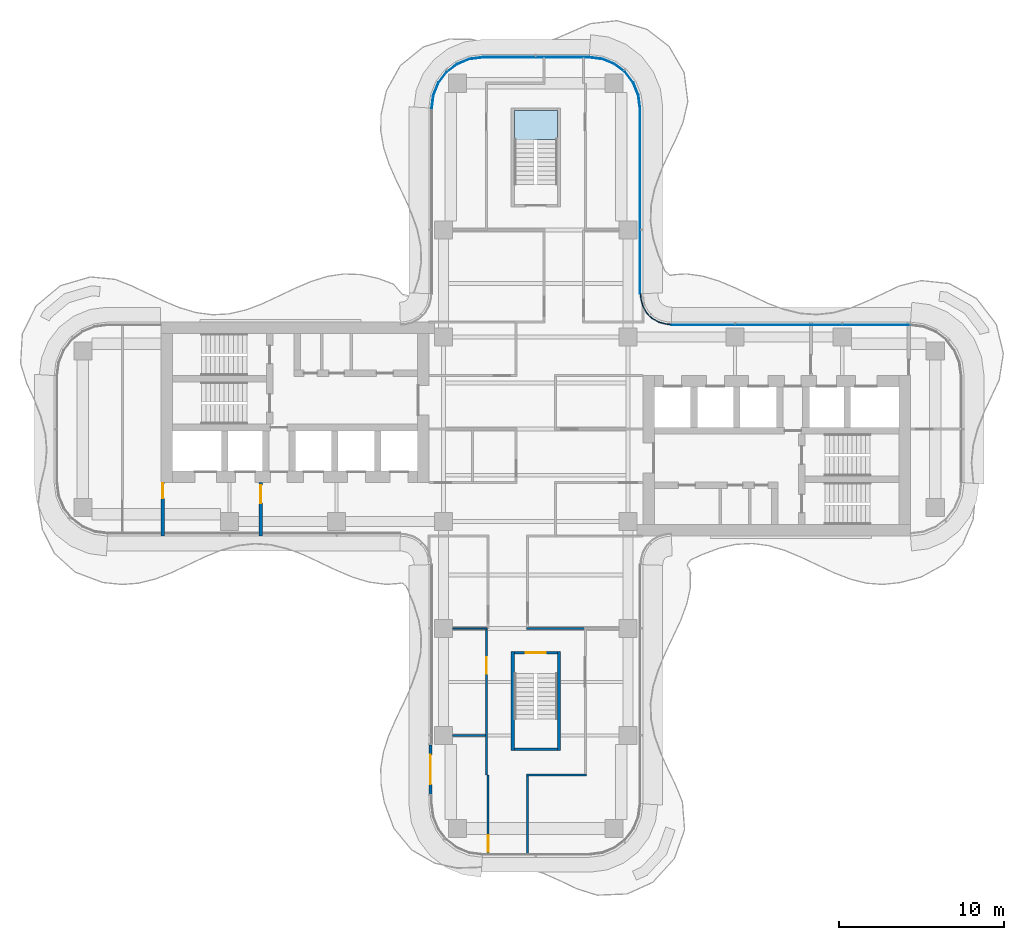
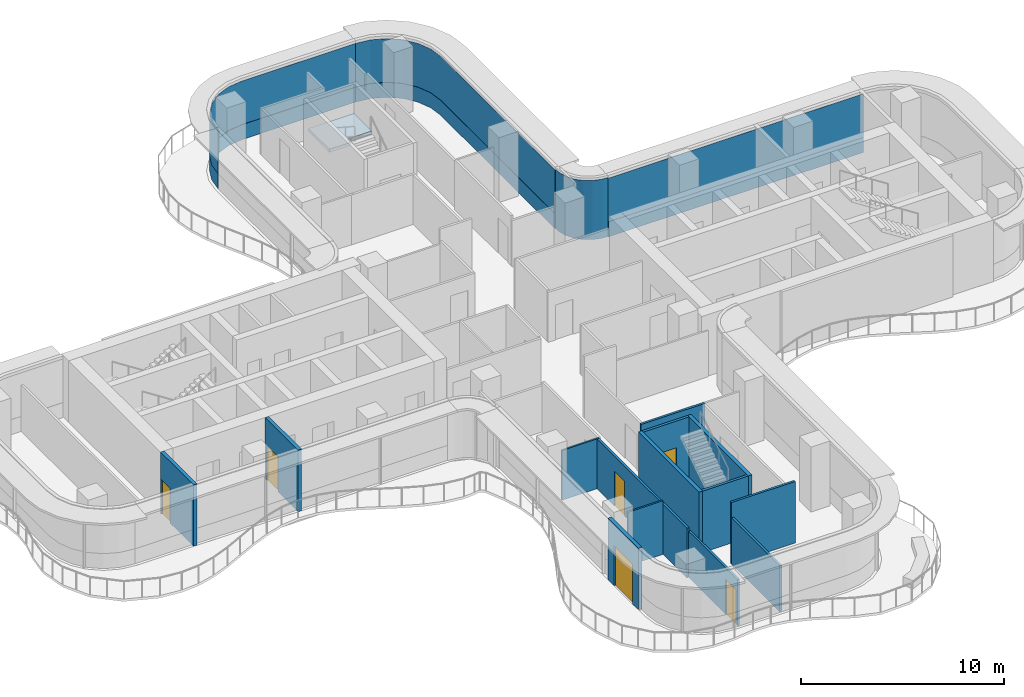
# One storey, part 11 of 17: 14 walls, 7 plates, 6 doors, 1 slab, 6 openings, 5 elements without a shape of their own.
"""IFC4 building model written with IfcOpenShell, lengths in metres."""

from ifc_helpers import new_model, si_unit, direction, frame, frame_2d, origin, place, context, subcontext, project, spatial, polyline, rectangle, outline, extrude, source, transform, mapped, material, layer, layer_set, type_object, element, fill, aggregate, save


model = new_model("IFC4")

# Units and contexts
model_context = context("Model", 3, precision=1e-05, world=origin(), true_north=direction((0.0, 1.0)))
body_context = subcontext(model_context, "Body", "Model", "MODEL_VIEW")
ifc_project = project(units=[si_unit("LENGTHUNIT", "METRE"), si_unit("AREAUNIT", "SQUARE_METRE"), si_unit("VOLUMEUNIT", "CUBIC_METRE"), si_unit("PLANEANGLEUNIT", "RADIAN"), si_unit("MASSUNIT", "GRAM", prefix="KILO")], contexts=[model_context])

# Site, building, storey
site_placement = place(None, origin())
site = spatial("IfcSite", under=ifc_project, at=site_placement, CompositionType="ELEMENT")
building_placement = place(site_placement, origin())
building = spatial("IfcBuilding", under=site, at=building_placement, Name="Trellis Farm Tower", CompositionType="ELEMENT")
storey_placement = place(building_placement, frame((0.0, 0.0, 240.199951171875)))
storey = spatial("IfcBuildingStorey", under=building, at=storey_placement, Name="L53", CompositionType="ELEMENT", Elevation=240.199951171875)

# Stair, slab
ifc_material_1 = material(Name="Concrete C50/60", Category="concrete")
stair_type = type_object("IfcStairType", Name="CORE EXIT STAIR 22 RISERS 177 MM", PredefinedType="HALF_TURN_STAIR", material=ifc_material_1)
placement_1 = place(storey_placement, origin())
stair = element("IfcStair", 1, at=placement_1, inside=storey, type_object=stair_type, Name="Exit stair N", PredefinedType="HALF_TURN_STAIR")
ifc_layer_1 = layer(ifc_material_1, 0.18994140625)
ifc_layer_set_1 = layer_set([ifc_layer_1], Name="CORE STAIR LANDING 190 CONCRETE C50/60")
slab_type = type_object("IfcSlabType", Name="CORE STAIR LANDING 190 CONCRETE C50/60", PredefinedType="LANDING", material=ifc_layer_set_1)
shared_shape_1 = source(origin(), body_context, "Body", "SweptSolid", [
    extrude(outline(polyline([(-0.10009765625, 17.27197265625), (-1.300048828125, 17.27197265625), (-1.300048828125, 17.60009765625), (-1.300048828125, 19.35009765625), (1.300048828125, 19.35009765625), (1.300048828125, 17.60009765625), (1.300048828125, 17.590087890625), (0.10009765625, 17.590087890625), (0.10009765625, 17.60009765625), (-0.10009765625, 17.60009765625), (-0.10009765625, 17.27197265625)])), origin(), (0.0, 0.0, 1.0), 0.18994140625),
])
slab_placement = place(storey_placement, frame((0.0, 0.0, 1.760009765625)))
slab = element("IfcSlab", 2, at=slab_placement, type_object=slab_type, Name="STN landing 1", PredefinedType="LANDING", context=body_context, shape_type="MappedRepresentation", body=[
    mapped(shared_shape_1, transform((0.0, 0.0, 0.0))),
])
aggregate(stair, [slab])

# Curtain wall, plate
ifc_material_2 = material(Name="Aluminium and glass curtain wall", Category="aluminium")
ifc_layer_2 = layer(ifc_material_2, 0.166015625)
ifc_layer_set_2 = layer_set([ifc_layer_2], Name="WINTER GARDEN CURTAIN WALL CW3")
curtain_wall_type_1 = type_object("IfcCurtainWallType", Name="WINTER GARDEN CURTAIN WALL CW3", PredefinedType="NOTDEFINED", material=ifc_layer_set_2)
curtain_wall_1 = element("IfcCurtainWall", 3, at=placement_1, inside=storey, type_object=curtain_wall_type_1, Name="CW3 003", PredefinedType="NOTDEFINED")
ifc_material_3 = material(Name="Clear insulated glass", Category="glass")
ifc_layer_3 = layer(ifc_material_3, 0.0458984375)
ifc_layer_set_3 = layer_set([ifc_layer_3], Name="CW3 GLASS PANEL 46")
plate_type_1 = type_object("IfcPlateType", Name="CW3 GLASS PANEL 46", PredefinedType="CURTAIN_PANEL", material=ifc_layer_set_3)
shared_shape_2 = source(origin(), body_context, "Body", "SweptSolid", [
    extrude(outline(polyline([(8.2275390625, 6.3798828125), (8.0078125, 6.394287109375), (7.89208984375, 6.40966796875), (7.462158203125, 6.52490234375), (7.070556640625, 6.7509765625), (6.7509765625, 7.070556640625), (6.52490234375, 7.462158203125), (6.40966796875, 7.89208984375), (6.394287109375, 8.0078125), (6.3798828125, 8.2275390625), (6.333984375, 8.22607421875), (6.3486328125, 8.003173828125), (6.364501953125, 7.883056640625), (6.48193359375, 7.4443359375), (6.714111328125, 7.04248046875), (7.04248046875, 6.714111328125), (7.4443359375, 6.48193359375), (7.883056640625, 6.364501953125), (8.003173828125, 6.3486328125), (8.22607421875, 6.333984375), (8.2275390625, 6.3798828125)])), origin(), (0.0, 0.0, 1.0), 3.550048828125),
])
plate_1 = element("IfcPlate", 4, at=placement_1, type_object=plate_type_1, Name="PL3 003", PredefinedType="CURTAIN_PANEL", context=body_context, shape_type="MappedRepresentation", body=[
    mapped(shared_shape_2, transform((0.0, 0.0, 0.0))),
])
aggregate(curtain_wall_1, [plate_1])

# Curtain wall, plates
ifc_layer_4 = layer(ifc_material_2, 0.18994140625)
ifc_layer_set_4 = layer_set([ifc_layer_4], Name="RIBBON CURTAIN WALL CW1")
curtain_wall_type_2 = type_object("IfcCurtainWallType", Name="RIBBON CURTAIN WALL CW1", PredefinedType="NOTDEFINED", material=ifc_layer_set_4)
curtain_wall_2 = element("IfcCurtainWall", 5, at=placement_1, inside=storey, type_object=curtain_wall_type_2, Name="CW1 009", PredefinedType="NOTDEFINED")
ifc_layer_5 = layer(ifc_material_3, 0.0400390625)
ifc_layer_set_5 = layer_set([ifc_layer_5], Name="CW1 GLASS PANEL 40")
plate_type_2 = type_object("IfcPlateType", Name="CW1 GLASS PANEL 40", PredefinedType="CURTAIN_PANEL", material=ifc_layer_set_5)
shared_shape_3 = source(origin(), body_context, "Body", "SweptSolid", [
    extrude(outline(polyline([(6.35009765625, 8.2265625), (6.35009765625, 19.490234375), (6.2431640625, 20.302001953125), (5.93359375, 21.04931640625), (5.441162109375, 21.691162109375), (4.79931640625, 22.18359375), (4.052001953125, 22.4931640625), (3.240234375, 22.60009765625), (3.237548828125, 22.56005859375), (4.04150390625, 22.4541015625), (4.779296875, 22.148681640625), (5.41259765625, 21.66259765625), (5.898681640625, 21.029296875), (6.2041015625, 20.29150390625), (6.31005859375, 19.487548828125), (6.31005859375, 8.22509765625), (6.35009765625, 8.2265625)])), origin(), (0.0, 0.0, 1.0), 2.619873046875),
])
placement_2 = place(storey_placement, frame((0.0, 0.0, 0.900146484375)))
plate_2 = element("IfcPlate", 6, at=placement_2, type_object=plate_type_2, Name="PL1 009", PredefinedType="CURTAIN_PANEL", context=body_context, shape_type="MappedRepresentation", body=[
    mapped(shared_shape_3, transform((0.0, 0.0, 0.0))),
])
ifc_material_4 = material(Name="Sandstone faced insulated panel", Category="masonry")
ifc_layer_6 = layer(ifc_material_4, 0.050048828125)
ifc_layer_set_6 = layer_set([ifc_layer_6], Name="CW1 STONE SPANDREL PANEL 50")
plate_type_3 = type_object("IfcPlateType", Name="CW1 STONE SPANDREL PANEL 50", PredefinedType="CURTAIN_PANEL", material=ifc_layer_set_6)
shared_shape_4 = source(origin(), body_context, "Body", "SweptSolid", [
    extrude(outline(polyline([(6.35009765625, 8.2265625), (6.35009765625, 19.490234375), (6.2431640625, 20.302001953125), (5.93359375, 21.04931640625), (5.441162109375, 21.691162109375), (4.79931640625, 22.18359375), (4.052001953125, 22.4931640625), (3.240234375, 22.60009765625), (3.23681640625, 22.550048828125), (4.0390625, 22.4443359375), (4.774169921875, 22.139892578125), (5.405517578125, 21.655517578125), (5.889892578125, 21.024169921875), (6.1943359375, 20.2890625), (6.300048828125, 19.48681640625), (6.300048828125, 8.224853515625), (6.35009765625, 8.2265625)])), origin(), (0.0, 0.0, 1.0), 0.900146484375),
])
plate_3 = element("IfcPlate", 7, at=placement_1, type_object=plate_type_3, Name="PS1 009", PredefinedType="CURTAIN_PANEL", context=body_context, shape_type="MappedRepresentation", body=[
    mapped(shared_shape_4, transform((0.0, 0.0, 0.0))),
])
aggregate(curtain_wall_2, [plate_2, plate_3])

curtain_wall_3 = element("IfcCurtainWall", 8, at=placement_1, inside=storey, type_object=curtain_wall_type_2, Name="CW1 010", PredefinedType="NOTDEFINED")
shared_shape_5 = source(origin(), body_context, "Body", "SweptSolid", [
    extrude(outline(polyline([(3.240234375, 22.60009765625), (-3.240234375, 22.60009765625), (-4.052001953125, 22.4931640625), (-4.79931640625, 22.18359375), (-5.441162109375, 21.691162109375), (-5.93359375, 21.04931640625), (-6.2431640625, 20.302001953125), (-6.35009765625, 19.490234375), (-6.31005859375, 19.487548828125), (-6.2041015625, 20.29150390625), (-5.898681640625, 21.029296875), (-5.41259765625, 21.66259765625), (-4.779296875, 22.148681640625), (-4.04150390625, 22.4541015625), (-3.237548828125, 22.56005859375), (3.237548828125, 22.56005859375), (3.240234375, 22.60009765625)])), origin(), (0.0, 0.0, 1.0), 2.619873046875),
])
plate_4 = element("IfcPlate", 9, at=placement_2, type_object=plate_type_2, Name="PL1 010", PredefinedType="CURTAIN_PANEL", context=body_context, shape_type="MappedRepresentation", body=[
    mapped(shared_shape_5, transform((0.0, 0.0, 0.0))),
])
shared_shape_6 = source(origin(), body_context, "Body", "SweptSolid", [
    extrude(outline(polyline([(3.240234375, 22.60009765625), (-3.240234375, 22.60009765625), (-4.052001953125, 22.4931640625), (-4.79931640625, 22.18359375), (-5.441162109375, 21.691162109375), (-5.93359375, 21.04931640625), (-6.2431640625, 20.302001953125), (-6.35009765625, 19.490234375), (-6.300048828125, 19.48681640625), (-6.1943359375, 20.2890625), (-5.889892578125, 21.024169921875), (-5.405517578125, 21.655517578125), (-4.774169921875, 22.139892578125), (-4.0390625, 22.4443359375), (-3.23681640625, 22.550048828125), (3.23681640625, 22.550048828125), (3.240234375, 22.60009765625)])), origin(), (0.0, 0.0, 1.0), 0.900146484375),
])
plate_5 = element("IfcPlate", 10, at=placement_1, type_object=plate_type_3, Name="PS1 010", PredefinedType="CURTAIN_PANEL", context=body_context, shape_type="MappedRepresentation", body=[
    mapped(shared_shape_6, transform((0.0, 0.0, 0.0))),
])
aggregate(curtain_wall_3, [plate_4, plate_5])

curtain_wall_4 = element("IfcCurtainWall", 11, at=placement_1, inside=storey, type_object=curtain_wall_type_2, Name="CW1 008", PredefinedType="NOTDEFINED")
shared_shape_7 = source(origin(), body_context, "Body", "SweptSolid", [
    extrude(outline(polyline([(22.740234375, 6.35009765625), (8.2265625, 6.35009765625), (8.22509765625, 6.31005859375), (22.737548828125, 6.31005859375), (22.740234375, 6.35009765625)])), origin(), (0.0, 0.0, 1.0), 2.619873046875),
])
plate_6 = element("IfcPlate", 12, at=placement_2, type_object=plate_type_2, Name="PL1 008", PredefinedType="CURTAIN_PANEL", context=body_context, shape_type="MappedRepresentation", body=[
    mapped(shared_shape_7, transform((0.0, 0.0, 0.0))),
])
shared_shape_8 = source(origin(), body_context, "Body", "SweptSolid", [
    extrude(outline(polyline([(22.740234375, 6.35009765625), (8.2265625, 6.35009765625), (8.224853515625, 6.300048828125), (22.73681640625, 6.300048828125), (22.740234375, 6.35009765625)])), origin(), (0.0, 0.0, 1.0), 0.900146484375),
])
plate_7 = element("IfcPlate", 13, at=placement_1, type_object=plate_type_3, Name="PS1 008", PredefinedType="CURTAIN_PANEL", context=body_context, shape_type="MappedRepresentation", body=[
    mapped(shared_shape_8, transform((0.0, 0.0, 0.0))),
])
aggregate(curtain_wall_4, [plate_6, plate_7])

# Wall, opening, door
ifc_material_5 = material(Name="Masonry blockwork", Category="masonry")
ifc_layer_7 = layer(ifc_material_5, 0.199951171875)
ifc_layer_set_7 = layer_set([ifc_layer_7], Name="FIRE LOBBY PARTITION 200 BLOCKWORK")
wall_type_1 = type_object("IfcWallType", Name="FIRE LOBBY PARTITION 200 BLOCKWORK", PredefinedType="PARTITIONING", material=ifc_layer_set_7)
shared_shape_9 = source(origin(), body_context, "Body", "SweptSolid", [
    extrude(rectangle(XDim=3.25, YDim=0.199951171875, at=frame_2d((1.625, 0.0))), origin(), (0.0, 0.0, 1.0), 3.699951171875),
])
wall_1_placement = place(storey_placement, frame((-16.699951171875, -3.25, 0.0), z_axis=(0.0, 0.0, 1.0), x_axis=(0.0, -1.0, 0.0)))
wall_1 = element("IfcWall", 14, at=wall_1_placement, inside=storey, type_object=wall_type_1, Name="Fire-fighting lobby partition", PredefinedType="PARTITIONING", context=body_context, shape_type="MappedRepresentation", body=[
    mapped(shared_shape_9, transform((0.0, 0.0, 0.0))),
])
shared_shape_10 = source(origin(), body_context, "Body", "SweptSolid", [
    extrude(rectangle(XDim=1.10009765625, YDim=2.10009765625, at=frame_2d((0.550048828125, 1.050048828125))), frame((0.0, 0.110107421875, 0.0), z_axis=(0.0, -1.0, 0.0), x_axis=(1.0, 0.0, 0.0)), (0.0, 0.0, 1.0), 0.22021484375),
])
opening_1_placement = place(wall_1_placement, frame((0.14990234375, 0.0, 0.0)))
opening_1 = element("IfcOpeningElement", 15, at=opening_1_placement, cuts=wall_1, Name="Opening DC93", PredefinedType="OPENING", context=body_context, shape_type="MappedRepresentation", body=[
    mapped(shared_shape_10, transform((0.0, 0.0, 0.0))),
])
ifc_material_6 = material(Name="Steel", Category="steel")
door_type_1 = type_object("IfcDoorType", Name="CORE FIRE DOOR 1100 X 2100", OperationType="NOTDEFINED", PredefinedType="DOOR", material=ifc_material_6)
shared_shape_11 = source(origin(), body_context, "Body", "SweptSolid", [
    extrude(rectangle(XDim=1.10009765625, YDim=2.10009765625, at=frame_2d((0.550048828125, 1.050048828125))), frame((0.0, 0.02490234375, 0.0), z_axis=(0.0, -1.0, 0.0), x_axis=(1.0, 0.0, 0.0)), (0.0, 0.0, 1.0), 0.050048828125),
])
door_1_placement = place(opening_1_placement, origin())
door_1 = element("IfcDoor", 16, at=door_1_placement, inside=storey, type_object=door_type_1, Name="Core door", OperationType="SINGLE_SWING_RIGHT", OverallHeight=2.10009765625, OverallWidth=1.10009765625, PredefinedType="DOOR", context=body_context, shape_type="MappedRepresentation", body=[
    mapped(shared_shape_11, transform((0.0, 0.0, 0.0))),
])
fill(opening_1, door_1)

wall_2_placement = place(storey_placement, frame((-22.64990234375, -3.25, 0.0), z_axis=(0.0, 0.0, 1.0), x_axis=(0.0, -1.0, 0.0)))
wall_2 = element("IfcWall", 17, at=wall_2_placement, inside=storey, type_object=wall_type_1, Name="Fire-fighting lobby partition", PredefinedType="PARTITIONING", context=body_context, shape_type="MappedRepresentation", body=[
    mapped(shared_shape_9, transform((0.0, 0.0, 0.0))),
])
shared_shape_12 = source(origin(), body_context, "Body", "SweptSolid", [
    extrude(rectangle(XDim=0.89990234375, YDim=2.10009765625, at=frame_2d((0.449951171875, 1.050048828125))), frame((0.0, 0.110107421875, 0.0), z_axis=(0.0, -1.0, 0.0), x_axis=(1.0, 0.0, 0.0)), (0.0, 0.0, 1.0), 0.22021484375),
])
opening_2_placement = place(wall_2_placement, frame((0.050048828125, 0.0, 0.0)))
opening_2 = element("IfcOpeningElement", 18, at=opening_2_placement, cuts=wall_2, Name="Opening DC94", PredefinedType="OPENING", context=body_context, shape_type="MappedRepresentation", body=[
    mapped(shared_shape_12, transform((0.0, 0.0, 0.0))),
])
door_type_2 = type_object("IfcDoorType", Name="CORE FIRE DOOR 900 X 2100", OperationType="NOTDEFINED", PredefinedType="DOOR", material=ifc_material_6)
shared_shape_13 = source(origin(), body_context, "Body", "SweptSolid", [
    extrude(rectangle(XDim=0.89990234375, YDim=2.10009765625, at=frame_2d((0.449951171875, 1.050048828125))), frame((0.0, 0.02490234375, 0.0), z_axis=(0.0, -1.0, 0.0), x_axis=(1.0, 0.0, 0.0)), (0.0, 0.0, 1.0), 0.050048828125),
])
door_2_placement = place(opening_2_placement, origin())
door_2 = element("IfcDoor", 19, at=door_2_placement, inside=storey, type_object=door_type_2, Name="Core door", OperationType="SINGLE_SWING_RIGHT", OverallHeight=2.10009765625, OverallWidth=0.89990234375, PredefinedType="DOOR", context=body_context, shape_type="MappedRepresentation", body=[
    mapped(shared_shape_13, transform((0.0, 0.0, 0.0))),
])
fill(opening_2, door_2)

# Walls
ifc_material_7 = material(Name="Concrete C60/75", Category="concrete")
ifc_layer_8 = layer(ifc_material_7, 0.199951171875)
ifc_layer_set_8 = layer_set([ifc_layer_8], Name="CORE STAIR ENCLOSURE WALL 200 CONCRETE C60/75")
wall_type_2 = type_object("IfcWallType", Name="CORE STAIR ENCLOSURE WALL 200 CONCRETE C60/75", PredefinedType="SHEAR", material=ifc_layer_set_8)
shared_shape_14 = source(origin(), body_context, "Body", "SweptSolid", [
    extrude(rectangle(XDim=6.0, YDim=0.199951171875, at=frame_2d((3.0, 0.0))), origin(), (0.0, 0.0, 1.0), 3.699951171875),
])
for number, where, z_axis, x_axis, name in (
    (20, (1.39990234375, -13.5, 0.0), (0.0, 0.0, 1.0), (0.0, -1.0, 0.0), "Stair enclosure wall"),
    (21, (-1.39990234375, -13.5, 0.0), (0.0, 0.0, 1.0), (0.0, -1.0, 0.0), "Stair enclosure wall"),
):
    element("IfcWall", number, at=place(storey_placement, frame(where, z_axis=z_axis, x_axis=x_axis)), inside=storey, type_object=wall_type_2, Name=name, PredefinedType="SHEAR", context=body_context, shape_type="MappedRepresentation", body=[
        mapped(shared_shape_14, transform((0.0, 0.0, 0.0))),
    ])

# Wall, opening, door
ifc_layer_9 = layer(ifc_material_7, 0.14990234375)
ifc_layer_set_9 = layer_set([ifc_layer_9], Name="CORE STAIR ENCLOSURE WALL 150 CONCRETE C60/75")
wall_type_3 = type_object("IfcWallType", Name="CORE STAIR ENCLOSURE WALL 150 CONCRETE C60/75", PredefinedType="SHEAR", material=ifc_layer_set_9)
shared_shape_15 = source(origin(), body_context, "Body", "SweptSolid", [
    extrude(rectangle(XDim=2.60009765625, YDim=0.14990234375, at=frame_2d((1.300048828125, 0.0))), origin(), (0.0, 0.0, 1.0), 3.699951171875),
])
wall_3_placement = place(storey_placement, frame((1.300048828125, -13.574951171875, 0.0), z_axis=(0.0, 0.0, 1.0), x_axis=(-1.0, 0.0, 0.0)))
wall_3 = element("IfcWall", 22, at=wall_3_placement, inside=storey, type_object=wall_type_3, Name="Stair enclosure wall", PredefinedType="SHEAR", context=body_context, shape_type="MappedRepresentation", body=[
    mapped(shared_shape_15, transform((0.0, 0.0, 0.0))),
])
shared_shape_16 = source(origin(), body_context, "Body", "SweptSolid", [
    extrude(rectangle(XDim=1.199951171875, YDim=2.10009765625, at=frame_2d((0.60009765625, 1.050048828125))), frame((0.0, 0.0849609375, 0.0), z_axis=(0.0, -1.0, 0.0), x_axis=(1.0, 0.0, 0.0)), (0.0, 0.0, 1.0), 0.169921875),
])
opening_3_placement = place(wall_3_placement, frame((0.699951171875, 0.0, 0.0)))
opening_3 = element("IfcOpeningElement", 23, at=opening_3_placement, cuts=wall_3, Name="Opening DC174", PredefinedType="OPENING", context=body_context, shape_type="MappedRepresentation", body=[
    mapped(shared_shape_16, transform((0.0, 0.0, 0.0))),
])
door_type_3 = type_object("IfcDoorType", Name="CORE FIRE DOOR 1200 X 2100", OperationType="NOTDEFINED", PredefinedType="DOOR", material=ifc_material_6)
shared_shape_17 = source(origin(), body_context, "Body", "SweptSolid", [
    extrude(rectangle(XDim=1.199951171875, YDim=2.10009765625, at=frame_2d((0.60009765625, 1.050048828125))), frame((0.0, 0.02490234375, 0.0), z_axis=(0.0, -1.0, 0.0), x_axis=(1.0, 0.0, 0.0)), (0.0, 0.0, 1.0), 0.050048828125),
])
door_3_placement = place(opening_3_placement, origin())
door_3 = element("IfcDoor", 24, at=door_3_placement, inside=storey, type_object=door_type_3, Name="Core door", OperationType="SINGLE_SWING_RIGHT", OverallHeight=2.10009765625, OverallWidth=1.199951171875, PredefinedType="DOOR", context=body_context, shape_type="MappedRepresentation", body=[
    mapped(shared_shape_17, transform((0.0, 0.0, 0.0))),
])
fill(opening_3, door_3)

# Wall
wall_4_placement = place(storey_placement, frame((1.300048828125, -19.425048828125, 0.0), z_axis=(0.0, 0.0, 1.0), x_axis=(-1.0, 0.0, 0.0)))
element("IfcWall", 25, at=wall_4_placement, inside=storey, type_object=wall_type_3, Name="Stair enclosure wall", PredefinedType="SHEAR", context=body_context, shape_type="MappedRepresentation", body=[
    mapped(shared_shape_15, transform((0.0, 0.0, 0.0))),
])

# Wall, opening, door
ifc_material_8 = material(Name="Sandstone faced insulated wall", Category="masonry")
ifc_layer_10 = layer(ifc_material_8, 0.199951171875)
ifc_layer_set_10 = layer_set([ifc_layer_10], Name="EXTERNAL INFILL WALL 200")
wall_type_4 = type_object("IfcWallType", Name="EXTERNAL INFILL WALL 200", PredefinedType="SOLIDWALL", material=ifc_layer_set_10)
shared_shape_18 = source(origin(), body_context, "Body", "SweptSolid", [
    extrude(rectangle(XDim=3.0, YDim=0.199951171875, at=frame_2d((1.5, 0.0))), origin(), (0.0, 0.0, 1.0), 3.699951171875),
])
wall_5_placement = place(storey_placement, frame((-6.39990234375, -19.175048828125, 0.0), z_axis=(0.0, 0.0, 1.0), x_axis=(0.0, -1.0, 0.0)))
wall_5 = element("IfcWall", 26, at=wall_5_placement, inside=storey, type_object=wall_type_4, Name="EW1 01", PredefinedType="SOLIDWALL", context=body_context, shape_type="MappedRepresentation", body=[
    mapped(shared_shape_18, transform((0.0, 0.0, 0.0))),
])
shared_shape_19 = source(origin(), body_context, "Body", "SweptSolid", [
    extrude(rectangle(XDim=1.800048828125, YDim=2.39990234375, at=frame_2d((0.89990234375, 1.199951171875))), frame((0.0, 0.110107421875, 0.0), z_axis=(0.0, -1.0, 0.0), x_axis=(1.0, 0.0, 0.0)), (0.0, 0.0, 1.0), 0.22021484375),
])
opening_4_placement = place(wall_5_placement, frame((0.60009765625, 0.0, 0.0)))
opening_4 = element("IfcOpeningElement", 27, at=opening_4_placement, cuts=wall_5, Name="Opening ED1", PredefinedType="OPENING", context=body_context, shape_type="MappedRepresentation", body=[
    mapped(shared_shape_19, transform((0.0, 0.0, 0.0))),
])
ifc_material_9 = material(Name="Aluminium framed glazed door", Category="aluminium")
door_type_4 = type_object("IfcDoorType", Name="BALCONY DOOR 1800x2400", OperationType="DOUBLE_DOOR_SINGLE_SWING", PredefinedType="DOOR", material=ifc_material_9)
shared_shape_20 = source(origin(), body_context, "Body", "SweptSolid", [
    extrude(rectangle(XDim=1.800048828125, YDim=2.39990234375, at=frame_2d((0.89990234375, 1.199951171875))), frame((0.0, 0.02490234375, 0.0), z_axis=(0.0, -1.0, 0.0), x_axis=(1.0, 0.0, 0.0)), (0.0, 0.0, 1.0), 0.050048828125),
])
door_4_placement = place(opening_4_placement, origin())
door_4 = element("IfcDoor", 28, at=door_4_placement, inside=storey, type_object=door_type_4, Name="Balcony door", OperationType="DOUBLE_DOOR_SINGLE_SWING", OverallHeight=2.39990234375, OverallWidth=1.800048828125, PredefinedType="DOOR", context=body_context, shape_type="MappedRepresentation", body=[
    mapped(shared_shape_20, transform((0.0, 0.0, 0.0))),
])
fill(opening_4, door_4)

# Wall
ifc_material_10 = material(Name="Plasterboard on steel studs, mineral wool", Category="steel")
ifc_layer_11 = layer(ifc_material_10, 0.125)
ifc_layer_set_11 = layer_set([ifc_layer_11], Name="PARTITION 125 STUD EI 60")
wall_type_5 = type_object("IfcWallType", Name="PARTITION 125 STUD EI 60", PredefinedType="PARTITIONING", material=ifc_layer_set_11)
shared_shape_21 = source(origin(), body_context, "Body", "SweptSolid", [
    extrude(rectangle(XDim=3.625, YDim=0.125, at=frame_2d((1.8125, 0.0))), origin(), (0.0, 0.0, 1.0), 2.99658203125),
])
wall_6_placement = place(storey_placement, frame((-0.5625, -12.10009765625, 0.0), z_axis=(0.0, 0.0, 1.0), x_axis=(1.0, 0.0, 0.0)))
element("IfcWall", 29, at=wall_6_placement, inside=storey, type_object=wall_type_5, Name="Partition PW1", PredefinedType="PARTITIONING", context=body_context, shape_type="MappedRepresentation", body=[
    mapped(shared_shape_21, transform((0.0, 0.0, 0.0))),
])

# Wall, opening, door
shared_shape_22 = source(origin(), body_context, "Body", "SweptSolid", [
    extrude(rectangle(XDim=8.85009765625, YDim=0.125, at=frame_2d((4.425048828125, 0.0))), origin(), (0.0, 0.0, 1.0), 2.99658203125),
])
wall_7_placement = place(storey_placement, frame((-3.0, -21.0, 0.0), z_axis=(0.0, 0.0, 1.0), x_axis=(0.0, 1.0, 0.0)))
wall_7 = element("IfcWall", 30, at=wall_7_placement, inside=storey, type_object=wall_type_5, Name="Partition PW1", PredefinedType="PARTITIONING", context=body_context, shape_type="MappedRepresentation", body=[
    mapped(shared_shape_22, transform((0.0, 0.0, 0.0))),
])
shared_shape_23 = source(origin(), body_context, "Body", "SweptSolid", [
    extrude(rectangle(XDim=1.0, YDim=2.10009765625, at=frame_2d((0.5, 1.050048828125))), frame((0.0, 0.072509765625, 0.0), z_axis=(0.0, -1.0, 0.0), x_axis=(1.0, 0.0, 0.0)), (0.0, 0.0, 1.0), 0.14501953125),
])
opening_5_placement = place(wall_7_placement, frame((6.14990234375, 0.0, 0.0)))
opening_5 = element("IfcOpeningElement", 31, at=opening_5_placement, cuts=wall_7, Name="Opening D102", PredefinedType="OPENING", context=body_context, shape_type="MappedRepresentation", body=[
    mapped(shared_shape_23, transform((0.0, 0.0, 0.0))),
])
ifc_material_11 = material(Name="Fire-rated timber door leaf in a hollow metal frame", Category="wood")
door_type_5 = type_object("IfcDoorType", Name="DOOR 1000x2100 FD30S", OperationType="NOTDEFINED", PredefinedType="DOOR", material=ifc_material_11)
shared_shape_24 = source(origin(), body_context, "Body", "SweptSolid", [
    extrude(rectangle(XDim=1.0, YDim=2.10009765625, at=frame_2d((0.5, 1.050048828125))), frame((0.0, 0.02490234375, 0.0), z_axis=(0.0, -1.0, 0.0), x_axis=(1.0, 0.0, 0.0)), (0.0, 0.0, 1.0), 0.050048828125),
])
door_5_placement = place(opening_5_placement, origin())
door_5 = element("IfcDoor", 32, at=door_5_placement, inside=storey, type_object=door_type_5, Name="Door D102", OperationType="SINGLE_SWING_RIGHT", OverallHeight=2.10009765625, OverallWidth=1.0, PredefinedType="DOOR", context=body_context, shape_type="MappedRepresentation", body=[
    mapped(shared_shape_24, transform((0.0, 0.0, 0.0))),
])
fill(opening_5, door_5)

shared_shape_25 = source(origin(), body_context, "Body", "SweptSolid", [
    extrude(rectangle(XDim=4.800048828125, YDim=0.125, at=frame_2d((2.39990234375, 0.0))), origin(), (0.0, 0.0, 1.0), 2.780029296875),
])
wall_8_placement = place(storey_placement, frame((-2.89990234375, -25.800048828125, 0.0), z_axis=(0.0, 0.0, 1.0), x_axis=(0.0, 1.0, 0.0)))
wall_8 = element("IfcWall", 33, at=wall_8_placement, inside=storey, type_object=wall_type_5, Name="Partition PW1", PredefinedType="PARTITIONING", context=body_context, shape_type="MappedRepresentation", body=[
    mapped(shared_shape_25, transform((0.0, 0.0, 0.0))),
])
opening_6_placement = place(wall_8_placement, frame((0.14990234375, 0.0, 0.0)))
opening_6 = element("IfcOpeningElement", 34, at=opening_6_placement, cuts=wall_8, Name="Opening D101", PredefinedType="OPENING", context=body_context, shape_type="MappedRepresentation", body=[
    mapped(shared_shape_23, transform((0.0, 0.0, 0.0))),
])
door_6_placement = place(opening_6_placement, origin())
door_6 = element("IfcDoor", 35, at=door_6_placement, inside=storey, type_object=door_type_5, Name="Door D101", OperationType="SINGLE_SWING_LEFT", OverallHeight=2.10009765625, OverallWidth=1.0, PredefinedType="DOOR", context=body_context, shape_type="MappedRepresentation", body=[
    mapped(shared_shape_24, transform((0.0, 0.0, 0.0))),
])
fill(opening_6, door_6)

# Walls
shared_shape_26 = source(origin(), body_context, "Body", "SweptSolid", [
    extrude(rectangle(XDim=4.737548828125, YDim=0.125, at=frame_2d((2.36865234375, 0.0))), origin(), (0.0, 0.0, 1.0), 2.780029296875),
])
wall_9_placement = place(storey_placement, frame((-0.5, -21.0625, 0.0), z_axis=(0.0, 0.0, 1.0), x_axis=(0.0, -1.0, 0.0)))
element("IfcWall", 36, at=wall_9_placement, inside=storey, type_object=wall_type_5, Name="Partition PW1", PredefinedType="PARTITIONING", context=body_context, shape_type="MappedRepresentation", body=[
    mapped(shared_shape_26, transform((0.0, 0.0, 0.0))),
])
shared_shape_27 = source(origin(), body_context, "Body", "SweptSolid", [
    extrude(rectangle(XDim=3.625, YDim=0.125, at=frame_2d((1.8125, 0.0))), origin(), (0.0, 0.0, 1.0), 3.699951171875),
])
wall_10_placement = place(storey_placement, frame((3.0625, -21.0, 0.0), z_axis=(0.0, 0.0, 1.0), x_axis=(-1.0, 0.0, 0.0)))
element("IfcWall", 37, at=wall_10_placement, inside=storey, type_object=wall_type_5, Name="Partition PW1", PredefinedType="PARTITIONING", context=body_context, shape_type="MappedRepresentation", body=[
    mapped(shared_shape_27, transform((0.0, 0.0, 0.0))),
])
ifc_material_12 = material(Name="Plasterboard on steel studs", Category="steel")
ifc_layer_12 = layer(ifc_material_12, 0.10009765625)
ifc_layer_set_12 = layer_set([ifc_layer_12], Name="PARTITION 100 STUD EI 30")
wall_type_6 = type_object("IfcWallType", Name="PARTITION 100 STUD EI 30", PredefinedType="PARTITIONING", material=ifc_layer_set_12)
shared_shape_28 = source(origin(), body_context, "Body", "SweptSolid", [
    extrude(rectangle(XDim=2.112548828125, YDim=0.10009765625, at=frame_2d((1.05615234375, 0.0))), origin(), (0.0, 0.0, 1.0), 2.99658203125),
])
wall_11_placement = place(storey_placement, frame((-5.050048828125, -12.10009765625, 0.0), z_axis=(0.0, 0.0, 1.0), x_axis=(1.0, 0.0, 0.0)))
element("IfcWall", 38, at=wall_11_placement, inside=storey, type_object=wall_type_6, Name="Partition PW2", PredefinedType="PARTITIONING", context=body_context, shape_type="MappedRepresentation", body=[
    mapped(shared_shape_28, transform((0.0, 0.0, 0.0))),
])
shared_shape_29 = source(origin(), body_context, "Body", "SweptSolid", [
    extrude(rectangle(XDim=1.987548828125, YDim=0.10009765625, at=frame_2d((0.99365234375, 0.0))), origin(), (0.0, 0.0, 1.0), 3.22314453125),
])
wall_12_placement = place(storey_placement, frame((-5.050048828125, -18.60009765625, 0.0), z_axis=(0.0, 0.0, 1.0), x_axis=(1.0, 0.0, 0.0)))
element("IfcWall", 39, at=wall_12_placement, inside=storey, type_object=wall_type_6, Name="Partition PW2", PredefinedType="PARTITIONING", context=body_context, shape_type="MappedRepresentation", body=[
    mapped(shared_shape_29, transform((0.0, 0.0, 0.0))),
])

save(model, "model.ifc")
